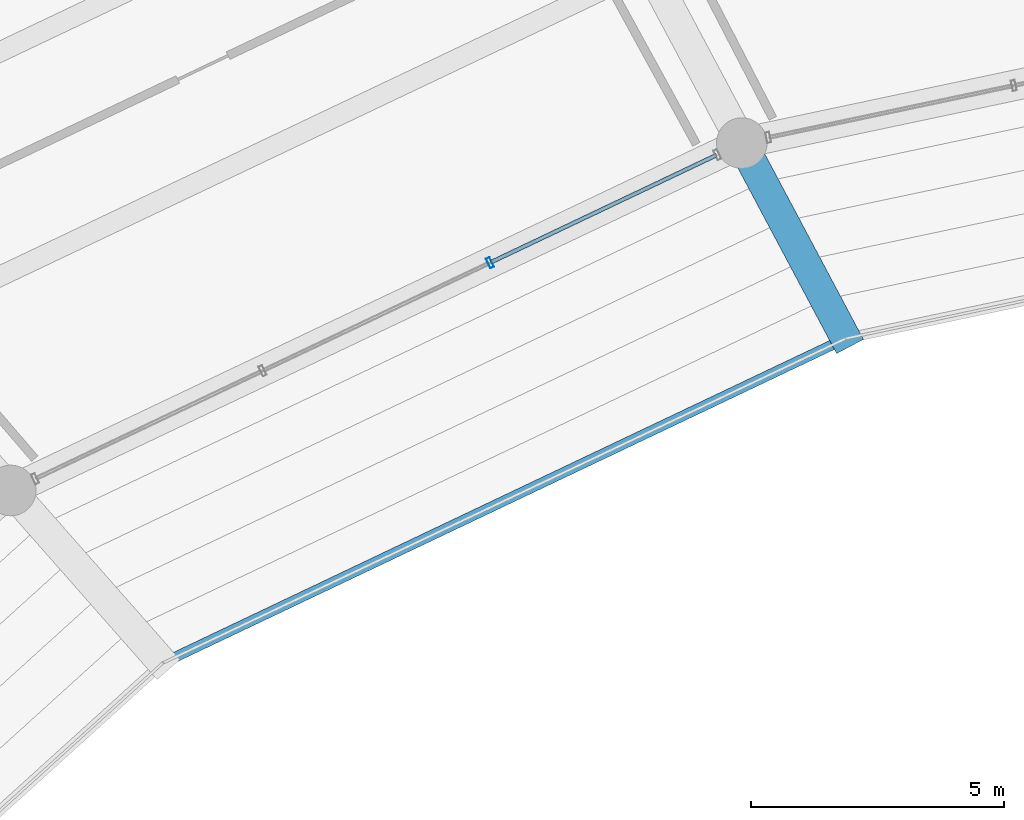
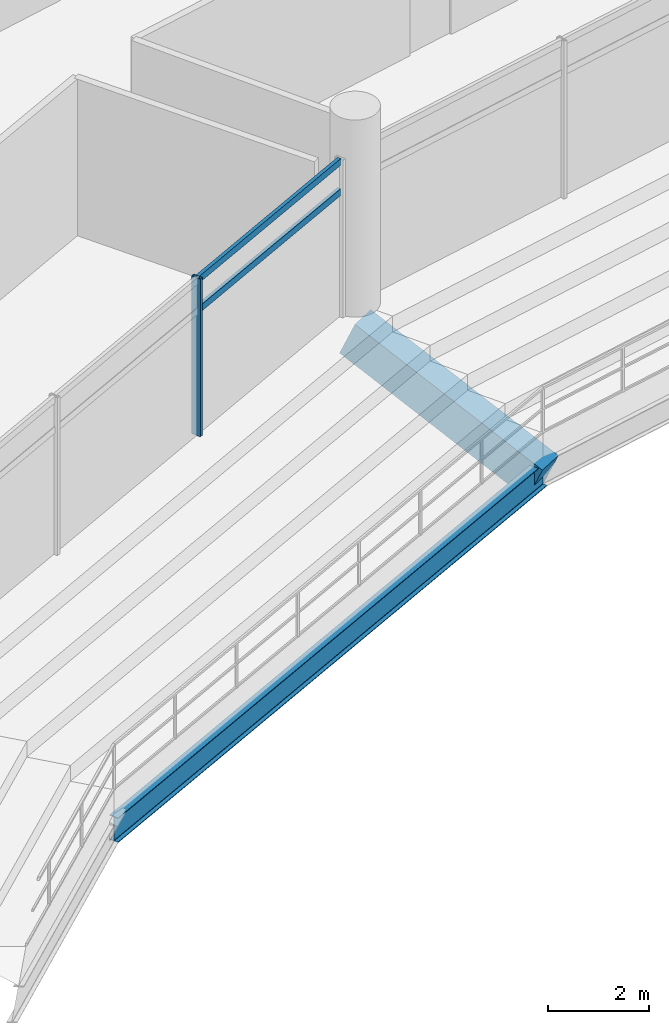
# One storey, part 88 of 171: 3 members, 2 beams, 1 element without a shape of its own.
"""IFC4 building model written with IfcOpenShell, lengths in metres."""

from ifc_helpers import new_model, si_unit, direction, frame, origin, origin_2d, place, context, subcontext, project, spatial, rectangle, hollow_rectangle, i_section, extrude, material, layer, layer_set, material_profile, profile_set, type_object, element, aggregate, save


model = new_model("IFC4")

# Units and contexts
model_context = context("Model", 3, precision=1e-05, world=origin(), true_north=direction((0.0, 1.0)))
body_context = subcontext(model_context, "Body", "Model", "MODEL_VIEW")
ifc_project = project(units=[si_unit("LENGTHUNIT", "METRE"), si_unit("AREAUNIT", "SQUARE_METRE"), si_unit("VOLUMEUNIT", "CUBIC_METRE"), si_unit("PLANEANGLEUNIT", "RADIAN"), si_unit("MASSUNIT", "GRAM", prefix="KILO")], contexts=[model_context])

# Site, building, storey
site_placement = place(None, origin())
site = spatial("IfcSite", under=ifc_project, at=site_placement, CompositionType="ELEMENT")
building_placement = place(site_placement, origin())
building = spatial("IfcBuilding", under=site, at=building_placement, Name="Kazemori Nagisa Stadium", CompositionType="ELEMENT")
storey_placement = place(building_placement, frame((0.0, 0.0, 15.639892578125)))
storey = spatial("IfcBuildingStorey", under=building, at=storey_placement, Name="L03", CompositionType="ELEMENT", Elevation=15.639892578125)

# Beams
ifc_material_1 = material(Name="Steel SN490B", Category="steel")
ifc_material_profile_1 = material_profile(ifc_material_1, i_section(OverallWidth=0.199951171875, OverallDepth=0.60009765625, WebThickness=0.010986328125, FlangeThickness=0.01708984375, FilletRadius=0.012939453125, at=origin_2d()), Name="H-600x200x11x17")
ifc_profile_set_1 = profile_set([ifc_material_profile_1], Name="Steel SN490B")
beam_type_1 = type_object("IfcBeamType", Name="Beam_BS-H600", PredefinedType="SPANDREL", material=ifc_profile_set_1)
beam_1_placement = place(storey_placement, frame((93.80712890625, 156.876708984375, -2.46484375), z_axis=(-0.90321228594, -0.429194089575, 0.0), x_axis=(0.429194089575, -0.90321228594, 0.0)))
element("IfcBeam", 1, at=beam_1_placement, inside=storey, type_object=beam_type_1, Name="Club tier front edge beam 10", PredefinedType="SPANDREL", context=body_context, shape_type="SweptSolid", body=[
    extrude(i_section(OverallWidth=0.199951171875, OverallDepth=0.60009765625, WebThickness=0.010986328125, FlangeThickness=0.01708984375, FilletRadius=0.012939453125, at=origin_2d()), origin(), (0.0, 0.0, 1.0), 14.945556640625),
])
ifc_material_2 = material(Name="Concrete C40/50 (Fc42)", Category="concrete")
ifc_material_profile_2 = material_profile(ifc_material_2, rectangle(XDim=0.60009765625, YDim=0.89990234375, at=origin_2d()), Name="RC-RK-600x900")
ifc_profile_set_2 = profile_set([ifc_material_profile_2], Name="Concrete C40/50 (Fc42)")
beam_type_2 = type_object("IfcBeamType", Name="Beam_RK-RC600X900", PredefinedType="USERDEFINED", material=ifc_profile_set_2)
beam_2_placement = place(storey_placement, frame((93.80712890625, 156.876708984375, -2.58984375), z_axis=(-0.430791222915, 0.809781029767, 0.39833855712), x_axis=(-0.882846788925, -0.469661098331, 0.0)))
element("IfcBeam", 2, at=beam_2_placement, inside=storey, type_object=beam_type_2, Name="Raker beam club RK2-10", ObjectType="RAKER BEAM", PredefinedType="USERDEFINED", context=body_context, shape_type="SweptSolid", body=[
    extrude(rectangle(XDim=0.60009765625, YDim=0.89990234375, at=origin_2d()), origin(), (0.0, 0.0, 1.0), 4.76953125),
])

# Curtain wall, members
ifc_material_3 = material(Name="Anodised aluminium 6063-T5", Category="aluminium")
ifc_layer = layer(ifc_material_3, 0.2099609375, Name="Anodised aluminium 6063-T5", Category="aluminium")
ifc_layer_set = layer_set([ifc_layer], Name="Anodised aluminium 6063-T5")
curtain_wall_type = type_object("IfcCurtainWallType", Name="CW_L03B_75", PredefinedType="USERDEFINED", material=ifc_layer_set)
curtain_wall_placement = place(storey_placement, origin())
curtain_wall = element("IfcCurtainWall", 3, at=curtain_wall_placement, inside=storey, type_object=curtain_wall_type, Name="Unitised curtain wall CW-L03B-75 L03", ObjectType="UNITISED CURTAIN WALL", PredefinedType="USERDEFINED")
ifc_material_4 = material(Name="Aluminium 6063-T5 anodised", Category="aluminium")
ifc_material_profile_3 = material_profile(ifc_material_4, hollow_rectangle(XDim=0.080078125, YDim=0.2099609375, WallThickness=0.0048828125, at=origin_2d()), Name="ALU-MULL-80x210x5")
ifc_profile_set_3 = profile_set([ifc_material_profile_3], Name="Aluminium 6063-T5 anodised")
member_type_1 = type_object("IfcMemberType", Name="Mullion_M02", PredefinedType="MULLION", material=ifc_profile_set_3)
member_1_placement = place(storey_placement, frame((86.775146484375, 158.373779296875, 0.0), z_axis=(0.0, 0.0, 1.0), x_axis=(-0.903215892654, -0.429186499388, 0.0)))
member_1 = element("IfcMember", 4, at=member_1_placement, type_object=member_type_1, Name="Curtain wall mullion CW-L03B-75-M2", PredefinedType="MULLION", context=body_context, shape_type="SweptSolid", body=[
    extrude(hollow_rectangle(XDim=0.080078125, YDim=0.2099609375, WallThickness=0.0048828125, at=origin_2d()), origin(), (0.0, 0.0, 1.0), 3.81005859375),
])
ifc_material_profile_4 = material_profile(ifc_material_4, hollow_rectangle(XDim=0.080078125, YDim=0.159912109375, WallThickness=0.00390625, at=origin_2d()), Name="ALU-TRAN-80x160x4")
ifc_profile_set_4 = profile_set([ifc_material_profile_4], Name="Aluminium 6063-T5 anodised")
member_type_2 = type_object("IfcMemberType", Name="Transom_T02", PredefinedType="USERDEFINED", material=ifc_profile_set_4)
member_2_placement = place(storey_placement, frame((91.251220703125, 160.500732421875, 3.010009765625), z_axis=(-0.903210397994, -0.429198062618, 0.0), x_axis=(0.429198062618, -0.903210397994, 0.0)))
member_2 = element("IfcMember", 5, at=member_2_placement, type_object=member_type_2, Name="Curtain wall transom CW-L03B-75-T1-mid", ObjectType="TRANSOM", PredefinedType="USERDEFINED", context=body_context, shape_type="SweptSolid", body=[
    extrude(hollow_rectangle(XDim=0.080078125, YDim=0.159912109375, WallThickness=0.00390625, at=origin_2d()), origin(), (0.0, 0.0, 1.0), 4.935791015625),
])
member_3_placement = place(storey_placement, frame((91.251220703125, 160.500732421875, 3.739990234375), z_axis=(-0.903210397994, -0.429198062618, 0.0), x_axis=(0.429198062618, -0.903210397994, 0.0)))
member_3 = element("IfcMember", 6, at=member_3_placement, type_object=member_type_2, Name="Curtain wall transom CW-L03B-75-T1-head", ObjectType="TRANSOM", PredefinedType="USERDEFINED", context=body_context, shape_type="SweptSolid", body=[
    extrude(hollow_rectangle(XDim=0.080078125, YDim=0.159912109375, WallThickness=0.00390625, at=origin_2d()), origin(), (0.0, 0.0, 1.0), 4.935791015625),
])
aggregate(curtain_wall, [member_1, member_2, member_3])

save(model, "model.ifc")
